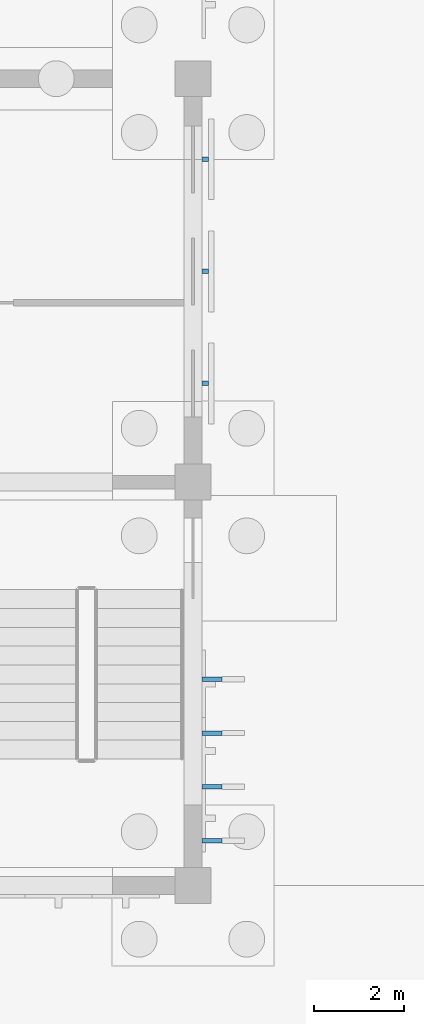
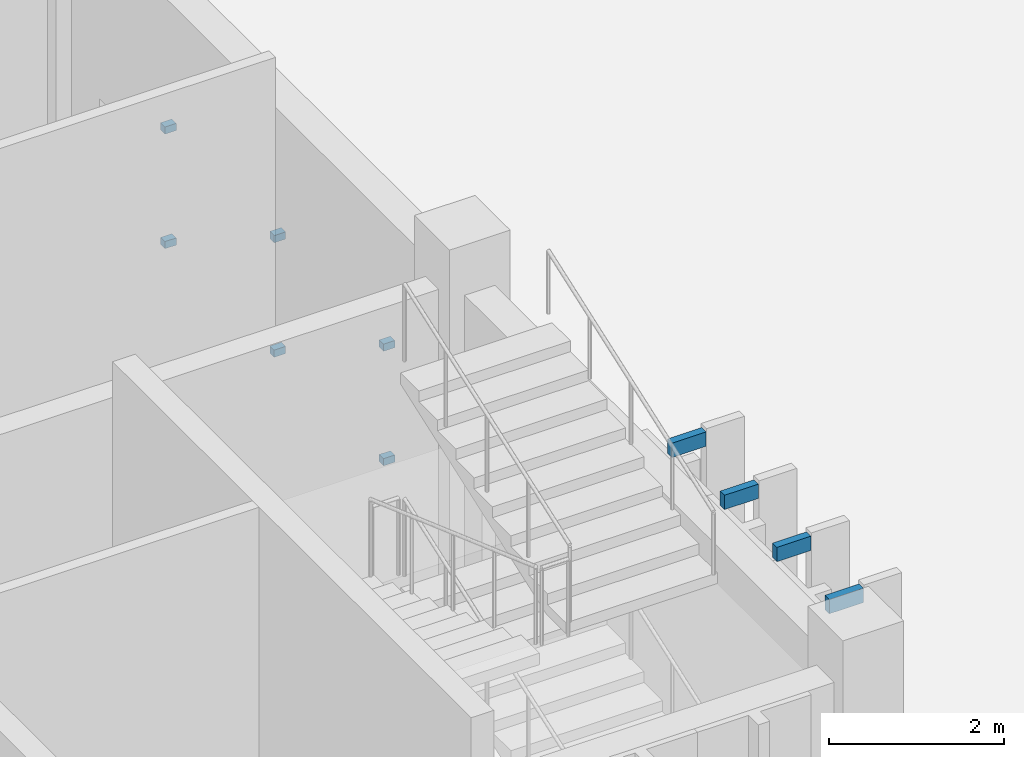
# One storey, part 125 of 198: 10 discrete accessories.
"""IFC4 building model written with IfcOpenShell, lengths in metres."""

from ifc_helpers import new_model, si_unit, direction, frame, origin, origin_2d, place, context, subcontext, project, spatial, rectangle, extrude, material, type_object, element, save


model = new_model("IFC4")

# Units and contexts
model_context = context("Model", 3, precision=1e-05, world=origin(), true_north=direction((0.0, 1.0)))
body_context = subcontext(model_context, "Body", "Model", "MODEL_VIEW")
ifc_project = project(units=[si_unit("LENGTHUNIT", "METRE"), si_unit("AREAUNIT", "SQUARE_METRE"), si_unit("VOLUMEUNIT", "CUBIC_METRE"), si_unit("PLANEANGLEUNIT", "RADIAN"), si_unit("MASSUNIT", "GRAM", prefix="KILO")], contexts=[model_context])

# Site, building, storey
site_placement = place(None, origin())
site = spatial("IfcSite", under=ifc_project, at=site_placement, CompositionType="ELEMENT")
building_placement = place(site_placement, origin())
building = spatial("IfcBuilding", under=site, at=building_placement, Name="Opaline Strait Convention Centre", CompositionType="ELEMENT")
storey_placement = place(building_placement, origin())
storey = spatial("IfcBuildingStorey", under=building, at=storey_placement, Name="L00", CompositionType="ELEMENT", Elevation=0.0)

# Discrete accessories
ifc_material = material(Name="Stainless steel 304", Category="steel")
discrete_accessory_type_1 = type_object("IfcDiscreteAccessoryType", Name="Louvre support bracket 150", PredefinedType="BRACKET", material=ifc_material)
for number, where, z_axis, x_axis, name in (
    (1, (351.27490234375, 20.199951171875, 0.949951171875), (0.0, 0.0, 1.0), (1.0, 0.0, 0.0), "Louvre bracket L00 1.1"),
    (2, (351.27490234375, 20.199951171875, 2.550048828125), (0.0, 0.0, 1.0), (1.0, 0.0, 0.0), "Louvre bracket L00 1.2"),
    (3, (351.27490234375, 22.699951171875, 0.949951171875), (0.0, 0.0, 1.0), (1.0, 0.0, 0.0), "Louvre bracket L00 2.1"),
    (4, (351.27490234375, 22.699951171875, 2.550048828125), (0.0, 0.0, 1.0), (1.0, 0.0, 0.0), "Louvre bracket L00 2.2"),
    (5, (351.27490234375, 25.199951171875, 0.949951171875), (0.0, 0.0, 1.0), (1.0, 0.0, 0.0), "Louvre bracket L00 3.1"),
    (6, (351.27490234375, 25.199951171875, 2.550048828125), (0.0, 0.0, 1.0), (1.0, 0.0, 0.0), "Louvre bracket L00 3.2"),
):
    element("IfcDiscreteAccessory", number, at=place(storey_placement, frame(where, z_axis=z_axis, x_axis=x_axis)), inside=storey, type_object=discrete_accessory_type_1, Name=name, PredefinedType="BRACKET", context=body_context, shape_type="SweptSolid", body=[
        extrude(rectangle(XDim=0.14990234375, YDim=0.10009765625, at=origin_2d()), origin(), (0.0, 0.0, 1.0), 0.10009765625),
    ])
discrete_accessory_type_2 = type_object("IfcDiscreteAccessoryType", Name="Storm fin bracket 100", PredefinedType="BRACKET", material=ifc_material)
for number, where, z_axis, x_axis, name in (
    (7, (351.425048828125, 10.0, 5.06982421875), (0.0, 0.0, 1.0), (1.0, 0.0, 0.0), "Storm fin bracket east 71"),
    (8, (351.425048828125, 11.199951171875, 5.06982421875), (0.0, 0.0, 1.0), (1.0, 0.0, 0.0), "Storm fin bracket east 72"),
    (9, (351.425048828125, 12.39990234375, 5.06982421875), (0.0, 0.0, 1.0), (1.0, 0.0, 0.0), "Storm fin bracket east 73"),
    (10, (351.425048828125, 13.60009765625, 5.06982421875), (0.0, 0.0, 1.0), (1.0, 0.0, 0.0), "Storm fin bracket east 74"),
):
    element("IfcDiscreteAccessory", number, at=place(storey_placement, frame(where, z_axis=z_axis, x_axis=x_axis)), inside=storey, type_object=discrete_accessory_type_2, Name=name, PredefinedType="BRACKET", context=body_context, shape_type="SweptSolid", body=[
        extrude(rectangle(XDim=0.449951171875, YDim=0.10009765625, at=origin_2d()), origin(), (0.0, 0.0, 1.0), 0.199951171875),
    ])

save(model, "model.ifc")
